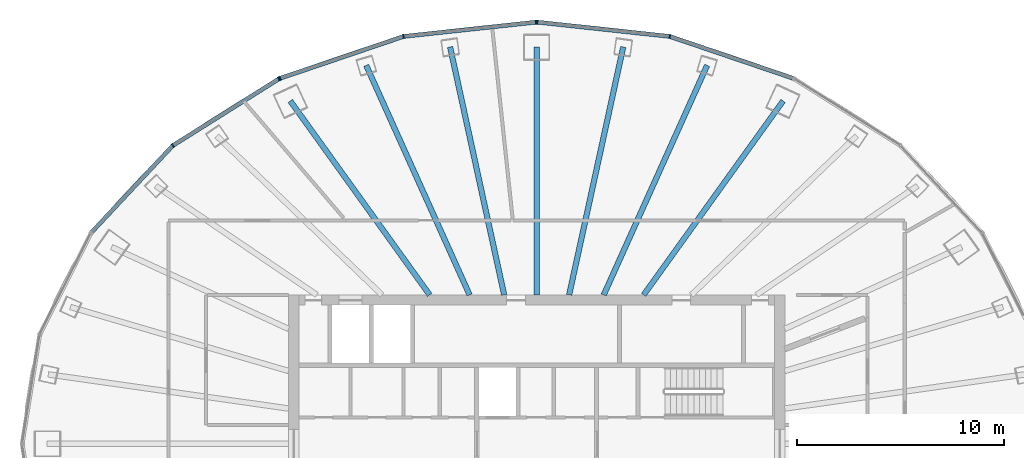
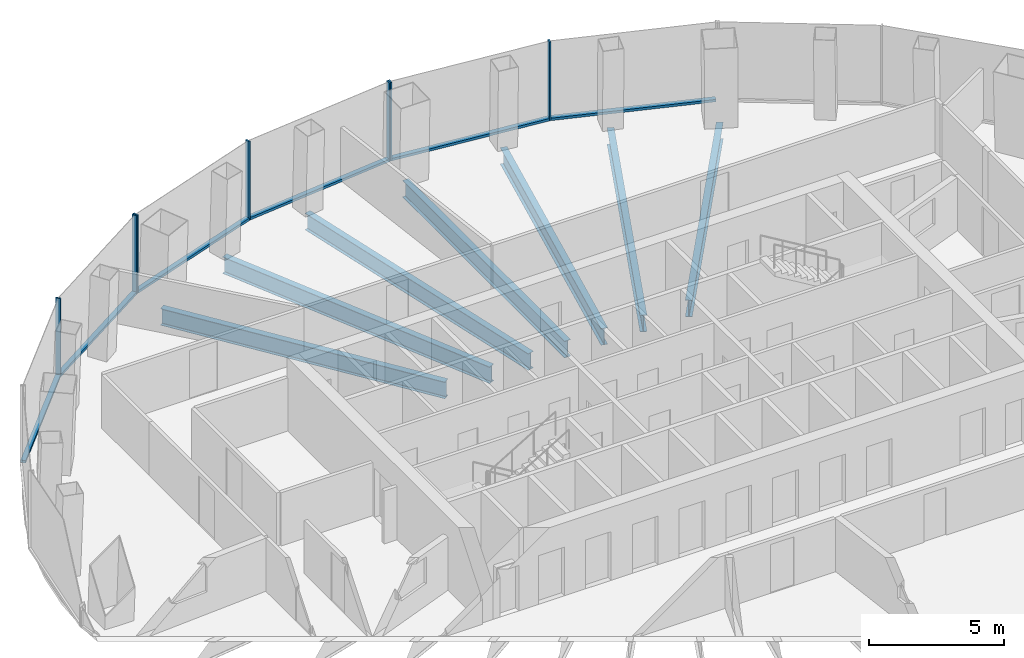
# One storey, part 5 of 12: 13 members, 7 beams, 3 elements without a shape of their own.
"""IFC4 building model written with IfcOpenShell, lengths in metres."""

from ifc_helpers import new_model, si_unit, direction, frame, origin, origin_2d, place, context, subcontext, project, spatial, rectangle, i_section, extrude, material, layer, layer_set, material_profile, profile_set, type_object, element, aggregate, save


model = new_model("IFC4")

# Units and contexts
model_context = context("Model", 3, precision=1e-05, world=origin(), true_north=direction((0.0, 1.0)))
body_context = subcontext(model_context, "Body", "Model", "MODEL_VIEW")
ifc_project = project(units=[si_unit("LENGTHUNIT", "METRE"), si_unit("AREAUNIT", "SQUARE_METRE"), si_unit("VOLUMEUNIT", "CUBIC_METRE"), si_unit("PLANEANGLEUNIT", "RADIAN"), si_unit("MASSUNIT", "GRAM", prefix="KILO")], contexts=[model_context])

# Site, building, storey
site_placement = place(None, origin())
site = spatial("IfcSite", under=ifc_project, at=site_placement, CompositionType="ELEMENT")
building_placement = place(site_placement, origin())
building = spatial("IfcBuilding", under=site, at=building_placement, Name="Siaravel Broadcast Tower", CompositionType="ELEMENT")
storey_placement = place(building_placement, frame((0.0, 0.0, 137.800048828125)))
storey = spatial("IfcBuildingStorey", under=building, at=storey_placement, Name="L33", CompositionType="ELEMENT", Elevation=137.800048828125)

# Beams
ifc_material_1 = material(Name="Steel S355", Category="steel")
ifc_material_profile_1 = material_profile(ifc_material_1, i_section(OverallWidth=0.26513671875, OverallDepth=0.75390625, WebThickness=0.0126953125, FlangeThickness=0.017578125, FilletRadius=0.0166015625, at=origin_2d()))
ifc_profile_set_1 = profile_set([ifc_material_profile_1], Name="Steel S355")
beam_type = type_object("IfcBeamType", Name="BM-UB 762x267x147", PredefinedType="BEAM", material=ifc_profile_set_1)
beam_1_placement = place(storey_placement, frame((11.916259765625, 16.578857421875, -0.52685546875), z_axis=(-0.583643017, -0.812010363, 0.0), x_axis=(0.812010363, -0.583643017, 0.0)))
element("IfcBeam", 1, at=beam_1_placement, inside=storey, type_object=beam_type, Name="Radial beam RB07", PredefinedType="BEAM", context=body_context, shape_type="SweptSolid", body=[
    extrude(i_section(OverallWidth=0.26513671875, OverallDepth=0.75390625, WebThickness=0.0126953125, FlangeThickness=0.017578125, FilletRadius=0.0166015625, at=origin_2d()), origin(), (0.0, 0.0, 1.0), 11.55029296875),
])
beam_2_placement = place(storey_placement, frame((8.244384765625, 18.301513671875, -0.52685546875), z_axis=(-0.410724813, -0.911759359, 0.0), x_axis=(0.911759359, -0.410724813, 0.0)))
element("IfcBeam", 2, at=beam_2_placement, inside=storey, type_object=beam_type, Name="Radial beam RB08", PredefinedType="BEAM", context=body_context, shape_type="SweptSolid", body=[
    extrude(i_section(OverallWidth=0.26513671875, OverallDepth=0.75390625, WebThickness=0.0126953125, FlangeThickness=0.017578125, FilletRadius=0.0166015625, at=origin_2d()), origin(), (0.0, 0.0, 1.0), 12.176025390625),
])
beam_3_placement = place(storey_placement, frame((4.1875, 19.191650390625, -0.52685546875), z_axis=(-0.213173634, -0.97701433, 0.0), x_axis=(0.97701433, -0.213173634, 0.0)))
element("IfcBeam", 3, at=beam_3_placement, inside=storey, type_object=beam_type, Name="Radial beam RB09", PredefinedType="BEAM", context=body_context, shape_type="SweptSolid", body=[
    extrude(i_section(OverallWidth=0.26513671875, OverallDepth=0.75390625, WebThickness=0.0126953125, FlangeThickness=0.017578125, FilletRadius=0.0166015625, at=origin_2d()), origin(), (0.0, 0.0, 1.0), 12.27392578125),
])
beam_4_placement = place(storey_placement, frame((0.0, 19.19189453125, -0.52685546875), z_axis=(0.0, -1.0, 0.0), x_axis=(1.0, 0.0, 0.0)))
element("IfcBeam", 4, at=beam_4_placement, inside=storey, type_object=beam_type, Name="Radial beam RB10", PredefinedType="BEAM", context=body_context, shape_type="SweptSolid", body=[
    extrude(i_section(OverallWidth=0.26513671875, OverallDepth=0.75390625, WebThickness=0.0126953125, FlangeThickness=0.017578125, FilletRadius=0.0166015625, at=origin_2d()), origin(), (0.0, 0.0, 1.0), 11.991943359375),
])
beam_5_placement = place(storey_placement, frame((-4.1875, 19.191650390625, -0.52685546875), z_axis=(0.213173634, -0.97701433, 0.0), x_axis=(0.97701433, 0.213173634, 0.0)))
element("IfcBeam", 5, at=beam_5_placement, inside=storey, type_object=beam_type, Name="Radial beam RB11", PredefinedType="BEAM", context=body_context, shape_type="SweptSolid", body=[
    extrude(i_section(OverallWidth=0.26513671875, OverallDepth=0.75390625, WebThickness=0.0126953125, FlangeThickness=0.017578125, FilletRadius=0.0166015625, at=origin_2d()), origin(), (0.0, 0.0, 1.0), 12.27392578125),
])
beam_6_placement = place(storey_placement, frame((-8.244384765625, 18.301513671875, -0.52685546875), z_axis=(0.410724813, -0.911759359, 0.0), x_axis=(0.911759359, 0.410724813, 0.0)))
element("IfcBeam", 6, at=beam_6_placement, inside=storey, type_object=beam_type, Name="Radial beam RB12", PredefinedType="BEAM", context=body_context, shape_type="SweptSolid", body=[
    extrude(i_section(OverallWidth=0.26513671875, OverallDepth=0.75390625, WebThickness=0.0126953125, FlangeThickness=0.017578125, FilletRadius=0.0166015625, at=origin_2d()), origin(), (0.0, 0.0, 1.0), 12.176025390625),
])
beam_7_placement = place(storey_placement, frame((-11.916259765625, 16.578857421875, -0.52685546875), z_axis=(0.583643017, -0.812010363, 0.0), x_axis=(0.812010363, 0.583643017, 0.0)))
element("IfcBeam", 7, at=beam_7_placement, inside=storey, type_object=beam_type, Name="Radial beam RB13", PredefinedType="BEAM", context=body_context, shape_type="SweptSolid", body=[
    extrude(i_section(OverallWidth=0.26513671875, OverallDepth=0.75390625, WebThickness=0.0126953125, FlangeThickness=0.017578125, FilletRadius=0.0166015625, at=origin_2d()), origin(), (0.0, 0.0, 1.0), 11.55029296875),
])

# Curtain wall, members
ifc_material_2 = material(Name="Aluminium 6063-T6", Category="aluminium")
ifc_layer = layer(ifc_material_2, 0.199951171875)
ifc_layer_set = layer_set([ifc_layer], Name="Aluminium 6063-T6")
curtain_wall_type = type_object("IfcCurtainWallType", Name="Unitised curtain wall, zone 2", PredefinedType="NOTDEFINED", material=ifc_layer_set)
curtain_wall_1_placement = place(storey_placement, origin())
curtain_wall_1 = element("IfcCurtainWall", 8, at=curtain_wall_1_placement, inside=storey, type_object=curtain_wall_type, Name="L33 Unitised curtain wall, zone 2 03", PredefinedType="NOTDEFINED")
ifc_material_profile_2 = material_profile(ifc_material_2, rectangle(XDim=0.199951171875, YDim=0.06494140625, at=origin_2d()))
ifc_profile_set_2 = profile_set([ifc_material_profile_2], Name="Aluminium 6063-T6")
member_type_1 = type_object("IfcMemberType", Name="CW-Z2 mullion", PredefinedType="MULLION", material=ifc_profile_set_2)
member_1_placement = place(storey_placement, frame((6.43896484375, 19.699951171875, 0.0), z_axis=(0.0, 0.0, 1.0), x_axis=(-0.215559096, -0.976490797, 0.0)))
member_1 = element("IfcMember", 9, at=member_1_placement, type_object=member_type_1, Name="CW-Z2 mullion 2", PredefinedType="MULLION", context=body_context, shape_type="SweptSolid", body=[
    extrude(rectangle(XDim=0.199951171875, YDim=0.06494140625, at=origin_2d()), origin(), (0.0, 0.0, 1.0), 3.550048828125),
])
member_2_placement = place(storey_placement, frame((0.0322265625, 20.390869140625, 0.0), z_axis=(0.0, 0.0, 1.0), x_axis=(-0.107218035, -0.994235532, 0.0)))
member_2 = element("IfcMember", 10, at=member_2_placement, type_object=member_type_1, Name="CW-Z2 mullion 3", PredefinedType="MULLION", context=body_context, shape_type="SweptSolid", body=[
    extrude(rectangle(XDim=0.199951171875, YDim=0.06494140625, at=origin_2d()), origin(), (0.0, 0.0, 1.0), 3.550048828125),
])

curtain_wall_2_placement = place(storey_placement, origin())
curtain_wall_2 = element("IfcCurtainWall", 11, at=curtain_wall_2_placement, inside=storey, type_object=curtain_wall_type, Name="L33 Unitised curtain wall, zone 2 04", PredefinedType="NOTDEFINED")
member_3_placement = place(storey_placement, frame((-0.0322265625, 20.390869140625, 0.0), z_axis=(0.0, 0.0, 1.0), x_axis=(0.107218035, -0.994235532, 0.0)))
member_3 = element("IfcMember", 12, at=member_3_placement, type_object=member_type_1, Name="CW-Z2 mullion 1", PredefinedType="MULLION", context=body_context, shape_type="SweptSolid", body=[
    extrude(rectangle(XDim=0.199951171875, YDim=0.06494140625, at=origin_2d()), origin(), (0.0, 0.0, 1.0), 3.550048828125),
])
member_4_placement = place(storey_placement, frame((-6.43896484375, 19.699951171875, 0.0), z_axis=(0.0, 0.0, 1.0), x_axis=(0.215559096, -0.976490797, 0.0)))
member_4 = element("IfcMember", 13, at=member_4_placement, type_object=member_type_1, Name="CW-Z2 mullion 2", PredefinedType="MULLION", context=body_context, shape_type="SweptSolid", body=[
    extrude(rectangle(XDim=0.199951171875, YDim=0.06494140625, at=origin_2d()), origin(), (0.0, 0.0, 1.0), 3.550048828125),
])
member_5_placement = place(storey_placement, frame((-12.408935546875, 17.67431640625, 0.0), z_axis=(0.0, 0.0, 1.0), x_axis=(0.321302097, -0.946976749, 0.0)))
member_5 = element("IfcMember", 14, at=member_5_placement, type_object=member_type_1, Name="CW-Z2 mullion 3", PredefinedType="MULLION", context=body_context, shape_type="SweptSolid", body=[
    extrude(rectangle(XDim=0.199951171875, YDim=0.06494140625, at=origin_2d()), origin(), (0.0, 0.0, 1.0), 3.550048828125),
])

curtain_wall_3_placement = place(storey_placement, origin())
curtain_wall_3 = element("IfcCurtainWall", 15, at=curtain_wall_3_placement, inside=storey, type_object=curtain_wall_type, Name="L33 Unitised curtain wall, zone 2 05", PredefinedType="NOTDEFINED")
member_6_placement = place(storey_placement, frame((-12.46728515625, 17.646484375, 0.0), z_axis=(0.0, 0.0, 1.0), x_axis=(0.532151141, -0.846649374, 0.0)))
member_6 = element("IfcMember", 16, at=member_6_placement, type_object=member_type_1, Name="CW-Z2 mullion 1", PredefinedType="MULLION", context=body_context, shape_type="SweptSolid", body=[
    extrude(rectangle(XDim=0.199951171875, YDim=0.06494140625, at=origin_2d()), origin(), (0.0, 0.0, 1.0), 3.550048828125),
])
member_7_placement = place(storey_placement, frame((-17.593994140625, 14.42431640625, 0.0), z_axis=(0.0, 0.0, 1.0), x_axis=(0.63622045, -0.771507317, 0.0)))
member_7 = element("IfcMember", 17, at=member_7_placement, type_object=member_type_1, Name="CW-Z2 mullion 2", PredefinedType="MULLION", context=body_context, shape_type="SweptSolid", body=[
    extrude(rectangle(XDim=0.199951171875, YDim=0.06494140625, at=origin_2d()), origin(), (0.0, 0.0, 1.0), 3.550048828125),
])

# Member
ifc_material_profile_3 = material_profile(ifc_material_2, rectangle(XDim=0.199951171875, YDim=0.110107421875, at=origin_2d()))
ifc_profile_set_3 = profile_set([ifc_material_profile_3], Name="Aluminium 6063-T6")
member_type_2 = type_object("IfcMemberType", Name="CW-Z2 transom", PredefinedType="USERDEFINED", material=ifc_profile_set_3)
member_8_placement = place(storey_placement, frame((12.37841796875, 17.684814453125, 0.054931640625), z_axis=(-0.946983377, 0.32128256, 0.0), x_axis=(-0.32128256, -0.946983377, 0.0)))
member_8 = element("IfcMember", 18, at=member_8_placement, type_object=member_type_2, Name="CW-Z2 transom 1", ObjectType="TRANSOM", PredefinedType="USERDEFINED", context=body_context, shape_type="SweptSolid", body=[
    extrude(rectangle(XDim=0.199951171875, YDim=0.110107421875, at=origin_2d()), origin(), (0.0, 0.0, 1.0), 6.239501953125),
])

member_9_placement = place(storey_placement, frame((6.40673828125, 19.703369140625, 0.054931640625), z_axis=(-0.994236965, 0.107204748, 0.0), x_axis=(-0.107204748, -0.994236965, 0.0)))
member_9 = element("IfcMember", 19, at=member_9_placement, type_object=member_type_2, Name="CW-Z2 transom 2", ObjectType="TRANSOM", PredefinedType="USERDEFINED", context=body_context, shape_type="SweptSolid", body=[
    extrude(rectangle(XDim=0.199951171875, YDim=0.110107421875, at=origin_2d()), origin(), (0.0, 0.0, 1.0), 6.37890625),
])

aggregate(curtain_wall_1, [member_1, member_2, member_8, member_9])

member_10_placement = place(storey_placement, frame((-0.064697265625, 20.38720703125, 0.054931640625), z_axis=(-0.994236965, -0.107204748, 0.0), x_axis=(0.107204748, -0.994236965, 0.0)))
member_10 = element("IfcMember", 20, at=member_10_placement, type_object=member_type_2, Name="CW-Z2 transom 1", ObjectType="TRANSOM", PredefinedType="USERDEFINED", context=body_context, shape_type="SweptSolid", body=[
    extrude(rectangle(XDim=0.199951171875, YDim=0.110107421875, at=origin_2d()), origin(), (0.0, 0.0, 1.0), 6.37890625),
])

member_11_placement = place(storey_placement, frame((-6.4697265625, 19.689453125, 0.054931640625), z_axis=(-0.946983377, -0.32128256, 0.0), x_axis=(0.32128256, -0.946983377, 0.0)))
member_11 = element("IfcMember", 21, at=member_11_placement, type_object=member_type_2, Name="CW-Z2 transom 2", ObjectType="TRANSOM", PredefinedType="USERDEFINED", context=body_context, shape_type="SweptSolid", body=[
    extrude(rectangle(XDim=0.199951171875, YDim=0.110107421875, at=origin_2d()), origin(), (0.0, 0.0, 1.0), 6.239501953125),
])

aggregate(curtain_wall_2, [member_3, member_4, member_5, member_10, member_11])

member_12_placement = place(storey_placement, frame((-12.494873046875, 17.62939453125, 0.054931640625), z_axis=(-0.84664232, -0.532162364, 0.0), x_axis=(0.532162364, -0.84664232, 0.0)))
member_12 = element("IfcMember", 22, at=member_12_placement, type_object=member_type_2, Name="CW-Z2 transom 1", ObjectType="TRANSOM", PredefinedType="USERDEFINED", context=body_context, shape_type="SweptSolid", body=[
    extrude(rectangle(XDim=0.199951171875, YDim=0.110107421875, at=origin_2d()), origin(), (0.0, 0.0, 1.0), 5.990234375),
])

member_13_placement = place(storey_placement, frame((-17.6162109375, 14.400634765625, 0.054931640625), z_axis=(-0.683644181, -0.72981548, 0.0), x_axis=(0.72981548, -0.683644181, 0.0)))
member_13 = element("IfcMember", 23, at=member_13_placement, type_object=member_type_2, Name="CW-Z2 transom 2", ObjectType="TRANSOM", PredefinedType="USERDEFINED", context=body_context, shape_type="SweptSolid", body=[
    extrude(rectangle(XDim=0.199951171875, YDim=0.110107421875, at=origin_2d()), origin(), (0.0, 0.0, 1.0), 5.689697265625),
])

aggregate(curtain_wall_3, [member_6, member_7, member_12, member_13])

save(model, "model.ifc")
